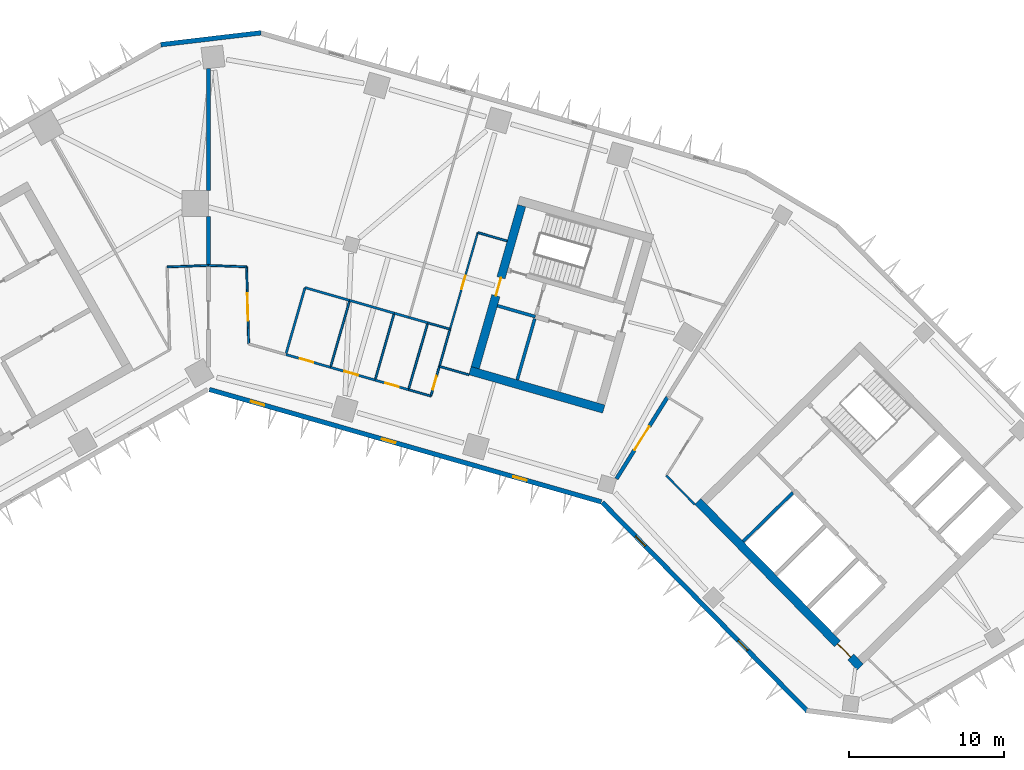
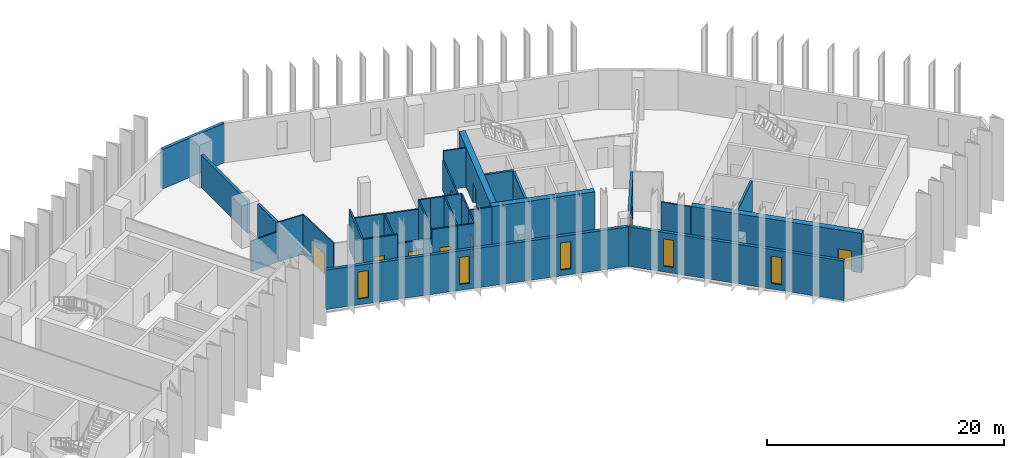
# One storey, part 5 of 11: 34 walls, 9 doors, 5 windows, 14 openings.
"""IFC4 building model written with IfcOpenShell, lengths in metres."""

from ifc_helpers import new_model, si_unit, direction, frame, frame_2d, origin, place, context, subcontext, project, spatial, rectangle, extrude, material, layer, layer_set, type_object, element, fill, save


model = new_model("IFC4")

# Units and contexts
model_context = context("Model", 3, precision=1e-05, world=origin(), true_north=direction((0.0, 1.0)))
body_context = subcontext(model_context, "Body", "Model", "MODEL_VIEW")
ifc_project = project(units=[si_unit("LENGTHUNIT", "METRE"), si_unit("AREAUNIT", "SQUARE_METRE"), si_unit("VOLUMEUNIT", "CUBIC_METRE"), si_unit("PLANEANGLEUNIT", "RADIAN"), si_unit("MASSUNIT", "GRAM", prefix="KILO")], contexts=[model_context])

# Site, building, storey
site_placement = place(None, origin())
site = spatial("IfcSite", under=ifc_project, at=site_placement, CompositionType="ELEMENT")
building_placement = place(site_placement, origin())
building = spatial("IfcBuilding", under=site, at=building_placement, Name="Binnacle Exchange Tower", CompositionType="ELEMENT")
storey_placement = place(building_placement, frame((0.0, 0.0, 97.10009765625)))
storey = spatial("IfcBuildingStorey", under=building, at=storey_placement, Name="L19", CompositionType="ELEMENT", Elevation=97.10009765625)

# Wall, opening, door
ifc_material_1 = material(Name="Concrete C70/85", Category="concrete")
ifc_layer_1 = layer(ifc_material_1, 0.550048828125)
ifc_layer_set_1 = layer_set([ifc_layer_1], Name="Core wall - outer 550")
wall_type_1 = type_object("IfcWallType", Name="Core wall - outer 550", PredefinedType="SOLIDWALL", material=ifc_layer_set_1)
wall_1_placement = place(storey_placement, frame((31.627685546875, 40.7451171875, 0.0), z_axis=(0.0, 0.0, 1.0), x_axis=(0.700911255944, -0.713248491965, 0.0)))
wall_1 = element("IfcWall", 1, at=wall_1_placement, inside=storey, type_object=wall_type_1, Name="Core wall CRWB1", PredefinedType="SOLIDWALL", context=body_context, shape_type="SweptSolid", body=[
    extrude(rectangle(XDim=15.0, YDim=0.550048828125, at=frame_2d((7.5, 0.0))), origin(), (0.0, 0.0, 1.0), 4.079833984375),
])
opening_1_placement = place(wall_1_placement, frame((12.89990234375, 0.0, 0.0)))
opening_1 = element("IfcOpeningElement", 2, at=opening_1_placement, cuts=wall_1, Name="Opening DB7", PredefinedType="OPENING", context=body_context, shape_type="SweptSolid", body=[
    extrude(rectangle(XDim=1.199951171875, YDim=2.10009765625, at=frame_2d((0.60009765625, 1.050048828125))), frame((0.0, 0.284912109375, 0.0), z_axis=(0.0, -1.0, 0.0), x_axis=(1.0, 0.0, 0.0)), (0.0, 0.0, 1.0), 0.570068359375),
])
ifc_material_2 = material(Name="Steel door leaf", Category="steel")
door_type_1 = type_object("IfcDoorType", Name="Fire door 1200", OperationType="NOTDEFINED", PredefinedType="DOOR", material=ifc_material_2)
door_1_placement = place(opening_1_placement, frame((1.199951171875, 0.0, 0.0), z_axis=(0.0, 0.0, 1.0), x_axis=(-1.0, 0.0, 0.0)))
door_1 = element("IfcDoor", 3, at=door_1_placement, inside=storey, type_object=door_type_1, Name="Lift lobby entrance door core B", OperationType="SINGLE_SWING_LEFT", OverallHeight=2.10009765625, OverallWidth=1.199951171875, PredefinedType="DOOR", context=body_context, shape_type="SweptSolid", body=[
    extrude(rectangle(XDim=1.199951171875, YDim=2.10009765625, at=frame_2d((0.60009765625, 1.050048828125))), frame((0.0, 0.02490234375, 0.0), z_axis=(0.0, -1.0, 0.0), x_axis=(1.0, 0.0, 0.0)), (0.0, 0.0, 1.0), 0.050048828125),
])
fill(opening_1, door_1)

# Wall
wall_2_placement = place(storey_placement, frame((16.90380859375, 49.197265625, 0.0), z_axis=(0.0, 0.0, 1.0), x_axis=(0.96126248289, -0.275634611374, 0.0)))
element("IfcWall", 4, at=wall_2_placement, inside=storey, type_object=wall_type_1, Name="Core wall CRWD1", PredefinedType="SOLIDWALL", context=body_context, shape_type="SweptSolid", body=[
    extrude(rectangle(XDim=9.0, YDim=0.550048828125, at=frame_2d((4.5, 0.0))), origin(), (0.0, 0.0, 1.0), 4.079833984375),
])

# Wall, opening, door
wall_3_placement = place(storey_placement, frame((17.243896484375, 49.3857421875, 0.0), z_axis=(0.0, 0.0, 1.0), x_axis=(0.275632146085, 0.96126318979, 0.0)))
wall_3 = element("IfcWall", 5, at=wall_3_placement, inside=storey, type_object=wall_type_1, Name="Core wall CRWD7", PredefinedType="SOLIDWALL", context=body_context, shape_type="SweptSolid", body=[
    extrude(rectangle(XDim=10.89990234375, YDim=0.550048828125, at=frame_2d((5.449951171875, 0.0))), origin(), (0.0, 0.0, 1.0), 4.079833984375),
])
opening_2_placement = place(wall_3_placement, frame((4.85009765625, 0.0, 0.0)))
opening_2 = element("IfcOpeningElement", 6, at=opening_2_placement, cuts=wall_3, Name="Opening DD5", PredefinedType="OPENING", context=body_context, shape_type="SweptSolid", body=[
    extrude(rectangle(XDim=1.199951171875, YDim=2.10009765625, at=frame_2d((0.60009765625, 1.050048828125))), frame((0.0, 0.284912109375, 0.0), z_axis=(0.0, -1.0, 0.0), x_axis=(1.0, 0.0, 0.0)), (0.0, 0.0, 1.0), 0.570068359375),
])
door_2_placement = place(opening_2_placement, origin())
door_2 = element("IfcDoor", 7, at=door_2_placement, inside=storey, type_object=door_type_1, Name="Vestibule exit door VEST-W", OperationType="SINGLE_SWING_RIGHT", OverallHeight=2.10009765625, OverallWidth=1.199951171875, PredefinedType="DOOR", context=body_context, shape_type="SweptSolid", body=[
    extrude(rectangle(XDim=1.199951171875, YDim=2.10009765625, at=frame_2d((0.60009765625, 1.050048828125))), frame((0.0, 0.02490234375, 0.0), z_axis=(0.0, -1.0, 0.0), x_axis=(1.0, 0.0, 0.0)), (0.0, 0.0, 1.0), 0.050048828125),
])
fill(opening_2, door_2)

# Wall
ifc_material_3 = material(Name="Bronze aluminium cladding", Category="aluminium")
ifc_layer_2 = layer(ifc_material_3, 0.300048828125)
ifc_layer_set_2 = layer_set([ifc_layer_2], Name="External wall - spandrel 300")
wall_type_2 = type_object("IfcWallType", Name="External wall - spandrel 300", PredefinedType="STANDARD", material=ifc_layer_set_2)
wall_4_placement = place(storey_placement, frame((-3.076171875, 70.27294921875, 0.0), z_axis=(0.0, 0.0, 1.0), x_axis=(0.993067743007, 0.117543429416, 0.0)))
element("IfcWall", 8, at=wall_4_placement, inside=storey, type_object=wall_type_2, Name="External wall EW-F02 L19", PredefinedType="STANDARD", context=body_context, shape_type="SweptSolid", body=[
    extrude(rectangle(XDim=6.515625, YDim=0.300048828125, at=frame_2d((3.2578125, 0.0))), origin(), (0.0, 0.0, 1.0), 4.079833984375),
])

# Wall, openings, windows
wall_5_placement = place(storey_placement, frame((25.398193359375, 40.71728515625, 0.0), z_axis=(0.0, 0.0, 1.0), x_axis=(-0.961262423262, 0.275634819324, 0.0)))
wall_5 = element("IfcWall", 9, at=wall_5_placement, inside=storey, type_object=wall_type_2, Name="External wall EW-F08 L19", PredefinedType="STANDARD", context=body_context, shape_type="SweptSolid", body=[
    extrude(rectangle(XDim=26.358642578125, YDim=0.300048828125, at=frame_2d((13.17919921875, 0.0))), origin(), (0.0, 0.0, 1.0), 4.079833984375),
])
opening_3_placement = place(wall_5_placement, frame((22.6640625, 0.0, 0.60009765625)))
opening_3 = element("IfcOpeningElement", 10, at=opening_3_placement, cuts=wall_5, Name="Opening WS2", PredefinedType="OPENING", context=body_context, shape_type="SweptSolid", body=[
    extrude(rectangle(XDim=0.89990234375, YDim=2.800048828125, at=frame_2d((0.449951171875, 1.39990234375))), frame((0.0, 0.159912109375, 0.0), z_axis=(0.0, -1.0, 0.0), x_axis=(1.0, 0.0, 0.0)), (0.0, 0.0, 1.0), 0.320068359375),
])
opening_4_placement = place(wall_5_placement, frame((13.843505859375, 0.0, 0.60009765625)))
opening_4 = element("IfcOpeningElement", 11, at=opening_4_placement, cuts=wall_5, Name="Opening WS2", PredefinedType="OPENING", context=body_context, shape_type="SweptSolid", body=[
    extrude(rectangle(XDim=0.89990234375, YDim=2.800048828125, at=frame_2d((0.449951171875, 1.39990234375))), frame((0.0, 0.159912109375, 0.0), z_axis=(0.0, -1.0, 0.0), x_axis=(1.0, 0.0, 0.0)), (0.0, 0.0, 1.0), 0.320068359375),
])
opening_5_placement = place(wall_5_placement, frame((5.023193359375, 0.0, 0.60009765625)))
opening_5 = element("IfcOpeningElement", 12, at=opening_5_placement, cuts=wall_5, Name="Opening WS2", PredefinedType="OPENING", context=body_context, shape_type="SweptSolid", body=[
    extrude(rectangle(XDim=0.89990234375, YDim=2.800048828125, at=frame_2d((0.449951171875, 1.39990234375))), frame((0.0, 0.159912109375, 0.0), z_axis=(0.0, -1.0, 0.0), x_axis=(1.0, 0.0, 0.0)), (0.0, 0.0, 1.0), 0.320068359375),
])
ifc_material_4 = material(Name="Bronze anodised aluminium frame", Category="aluminium")
window_type = type_object("IfcWindowType", Name="WS2 WINDOW 900x2800", PartitioningType="SINGLE_PANEL", PredefinedType="WINDOW", material=ifc_material_4)
window_1_placement = place(opening_3_placement, origin())
window_1 = element("IfcWindow", 13, at=window_1_placement, inside=storey, type_object=window_type, Name="Window WS2 L19", OverallHeight=2.800048828125, OverallWidth=0.89990234375, PartitioningType="SINGLE_PANEL", PredefinedType="WINDOW", context=body_context, shape_type="SweptSolid", body=[
    extrude(rectangle(XDim=0.89990234375, YDim=2.800048828125, at=frame_2d((0.449951171875, 1.39990234375))), frame((0.0, 0.030029296875, 0.0), z_axis=(0.0, -1.0, 0.0), x_axis=(1.0, 0.0, 0.0)), (0.0, 0.0, 1.0), 0.06005859375),
])
fill(opening_3, window_1)
window_2_placement = place(opening_4_placement, origin())
window_2 = element("IfcWindow", 14, at=window_2_placement, inside=storey, type_object=window_type, Name="Window WS2 L19", OverallHeight=2.800048828125, OverallWidth=0.89990234375, PartitioningType="SINGLE_PANEL", PredefinedType="WINDOW", context=body_context, shape_type="SweptSolid", body=[
    extrude(rectangle(XDim=0.89990234375, YDim=2.800048828125, at=frame_2d((0.449951171875, 1.39990234375))), frame((0.0, 0.030029296875, 0.0), z_axis=(0.0, -1.0, 0.0), x_axis=(1.0, 0.0, 0.0)), (0.0, 0.0, 1.0), 0.06005859375),
])
fill(opening_4, window_2)
window_3_placement = place(opening_5_placement, origin())
window_3 = element("IfcWindow", 15, at=window_3_placement, inside=storey, type_object=window_type, Name="Window WS2 L19", OverallHeight=2.800048828125, OverallWidth=0.89990234375, PartitioningType="SINGLE_PANEL", PredefinedType="WINDOW", context=body_context, shape_type="SweptSolid", body=[
    extrude(rectangle(XDim=0.89990234375, YDim=2.800048828125, at=frame_2d((0.449951171875, 1.39990234375))), frame((0.0, 0.030029296875, 0.0), z_axis=(0.0, -1.0, 0.0), x_axis=(1.0, 0.0, 0.0)), (0.0, 0.0, 1.0), 0.06005859375),
])
fill(opening_5, window_3)

wall_6_placement = place(storey_placement, frame((38.727294921875, 27.18115234375, 0.0), z_axis=(0.0, 0.0, 1.0), x_axis=(-0.700906405975, 0.713253258011, 0.0)))
wall_6 = element("IfcWall", 16, at=wall_6_placement, inside=storey, type_object=wall_type_2, Name="External wall EW-F09 L19", PredefinedType="STANDARD", context=body_context, shape_type="SweptSolid", body=[
    extrude(rectangle(XDim=18.92333984375, YDim=0.300048828125, at=frame_2d((9.461669921875, 0.0))), origin(), (0.0, 0.0, 1.0), 4.079833984375),
])
opening_6_placement = place(wall_6_placement, frame((14.967041015625, 0.0, 0.60009765625)))
opening_6 = element("IfcOpeningElement", 17, at=opening_6_placement, cuts=wall_6, Name="Opening WS2", PredefinedType="OPENING", context=body_context, shape_type="SweptSolid", body=[
    extrude(rectangle(XDim=0.89990234375, YDim=2.800048828125, at=frame_2d((0.449951171875, 1.39990234375))), frame((0.0, 0.159912109375, 0.0), z_axis=(0.0, -1.0, 0.0), x_axis=(1.0, 0.0, 0.0)), (0.0, 0.0, 1.0), 0.320068359375),
])
opening_7_placement = place(wall_6_placement, frame((5.51171875, 0.0, 0.60009765625)))
opening_7 = element("IfcOpeningElement", 18, at=opening_7_placement, cuts=wall_6, Name="Opening WS2", PredefinedType="OPENING", context=body_context, shape_type="SweptSolid", body=[
    extrude(rectangle(XDim=0.89990234375, YDim=2.800048828125, at=frame_2d((0.449951171875, 1.39990234375))), frame((0.0, 0.159912109375, 0.0), z_axis=(0.0, -1.0, 0.0), x_axis=(1.0, 0.0, 0.0)), (0.0, 0.0, 1.0), 0.320068359375),
])
window_4_placement = place(opening_6_placement, origin())
window_4 = element("IfcWindow", 19, at=window_4_placement, inside=storey, type_object=window_type, Name="Window WS2 L19", OverallHeight=2.800048828125, OverallWidth=0.89990234375, PartitioningType="SINGLE_PANEL", PredefinedType="WINDOW", context=body_context, shape_type="SweptSolid", body=[
    extrude(rectangle(XDim=0.89990234375, YDim=2.800048828125, at=frame_2d((0.449951171875, 1.39990234375))), frame((0.0, 0.030029296875, 0.0), z_axis=(0.0, -1.0, 0.0), x_axis=(1.0, 0.0, 0.0)), (0.0, 0.0, 1.0), 0.06005859375),
])
fill(opening_6, window_4)
window_5_placement = place(opening_7_placement, origin())
window_5 = element("IfcWindow", 20, at=window_5_placement, inside=storey, type_object=window_type, Name="Window WS2 L19", OverallHeight=2.800048828125, OverallWidth=0.89990234375, PartitioningType="SINGLE_PANEL", PredefinedType="WINDOW", context=body_context, shape_type="SweptSolid", body=[
    extrude(rectangle(XDim=0.89990234375, YDim=2.800048828125, at=frame_2d((0.449951171875, 1.39990234375))), frame((0.0, 0.030029296875, 0.0), z_axis=(0.0, -1.0, 0.0), x_axis=(1.0, 0.0, 0.0)), (0.0, 0.0, 1.0), 0.06005859375),
])
fill(opening_7, window_5)

# Walls
ifc_material_5 = material(Name="Concrete fire wall C30/37", Category="concrete")
ifc_layer_3 = layer(ifc_material_5, 0.25)
ifc_layer_set_3 = layer_set([ifc_layer_3], Name="Fire wall - compartment 250")
wall_type_3 = type_object("IfcWallType", Name="Fire wall - compartment 250", PredefinedType="PARTITIONING", material=ifc_layer_set_3)
wall_7_placement = place(storey_placement, frame((0.0, 56.0, 0.0), z_axis=(0.0, 0.0, 1.0), x_axis=(0.0, 1.0, 0.0)))
element("IfcWall", 21, at=wall_7_placement, inside=storey, type_object=wall_type_3, Name="Fire Wall W11", PredefinedType="PARTITIONING", context=body_context, shape_type="SweptSolid", body=[
    extrude(rectangle(XDim=3.14990234375, YDim=0.25, at=frame_2d((1.574951171875, 0.0))), origin(), (0.0, 0.0, 1.0), 4.079833984375),
])
wall_8_placement = place(storey_placement, frame((0.0, 60.85009765625, 0.0), z_axis=(0.0, 0.0, 1.0), x_axis=(0.0, 1.0, 0.0)))
element("IfcWall", 22, at=wall_8_placement, inside=storey, type_object=wall_type_3, Name="Fire Wall W13", PredefinedType="PARTITIONING", context=body_context, shape_type="SweptSolid", body=[
    extrude(rectangle(XDim=7.8740234375, YDim=0.25, at=frame_2d((3.93701171875, 0.0))), origin(), (0.0, 0.0, 1.0), 3.351806640625),
])

# Wall, opening, door
wall_9_placement = place(storey_placement, frame((26.373046875, 42.2060546875, 0.0), z_axis=(0.0, 0.0, 1.0), x_axis=(0.52987567935, 0.848075329457, 0.0)))
wall_9 = element("IfcWall", 23, at=wall_9_placement, inside=storey, type_object=wall_type_3, Name="Fire Wall W36", PredefinedType="PARTITIONING", context=body_context, shape_type="SweptSolid", body=[
    extrude(rectangle(XDim=6.231689453125, YDim=0.25, at=frame_2d((3.11572265625, 0.0))), origin(), (0.0, 0.0, 1.0), 4.079833984375),
])
opening_8_placement = place(wall_9_placement, frame((2.199951171875, 0.0, 0.0)))
opening_8 = element("IfcOpeningElement", 24, at=opening_8_placement, cuts=wall_9, Name="Opening DL19-14", PredefinedType="OPENING", context=body_context, shape_type="SweptSolid", body=[
    extrude(rectangle(XDim=1.800048828125, YDim=2.10009765625, at=frame_2d((0.89990234375, 1.050048828125))), frame((0.0, 0.135009765625, 0.0), z_axis=(0.0, -1.0, 0.0), x_axis=(1.0, 0.0, 0.0)), (0.0, 0.0, 1.0), 0.27001953125),
])
door_type_2 = type_object("IfcDoorType", Name="Fire door 1800", OperationType="NOTDEFINED", PredefinedType="DOOR", material=ifc_material_2)
door_3_placement = place(opening_8_placement, origin())
door_3 = element("IfcDoor", 25, at=door_3_placement, inside=storey, type_object=door_type_2, Name="Door DL19-14", OperationType="DOUBLE_DOOR_SINGLE_SWING", OverallHeight=2.10009765625, OverallWidth=1.800048828125, PredefinedType="DOOR", context=body_context, shape_type="SweptSolid", body=[
    extrude(rectangle(XDim=1.800048828125, YDim=2.10009765625, at=frame_2d((0.89990234375, 1.050048828125))), frame((0.0, 0.02490234375, 0.0), z_axis=(0.0, -1.0, 0.0), x_axis=(1.0, 0.0, 0.0)), (0.0, 0.0, 1.0), 0.050048828125),
])
fill(opening_8, door_3)

# Wall
ifc_material_6 = material(Name="Gypsum partition fire rated")
ifc_layer_4 = layer(ifc_material_6, 0.14990234375)
ifc_layer_set_4 = layer_set([ifc_layer_4], Name="Fire-rated partition 150")
wall_type_4 = type_object("IfcWallType", Name="Fire-rated partition 150", PredefinedType="PARTITIONING", material=ifc_layer_set_4)
wall_10_placement = place(storey_placement, frame((5.00390625, 50.242919921875, 0.0), z_axis=(0.0, 0.0, 1.0), x_axis=(0.275838825927, 0.961203902464, 0.0)))
element("IfcWall", 26, at=wall_10_placement, inside=storey, type_object=wall_type_4, Name="Partition W16", PredefinedType="PARTITIONING", context=body_context, shape_type="SweptSolid", body=[
    extrude(rectangle(XDim=4.499755859375, YDim=0.14990234375, at=frame_2d((2.25, 0.0))), origin(), (0.0, 0.0, 1.0), 4.079833984375),
])

# Wall, opening, door
wall_11_placement = place(storey_placement, frame((5.00390625, 50.242919921875, 0.0), z_axis=(0.0, 0.0, 1.0), x_axis=(0.961268664977, -0.27561305073, 0.0)))
wall_11 = element("IfcWall", 27, at=wall_11_placement, inside=storey, type_object=wall_type_4, Name="Partition W17", PredefinedType="PARTITIONING", context=body_context, shape_type="SweptSolid", body=[
    extrude(rectangle(XDim=3.000244140625, YDim=0.14990234375, at=frame_2d((1.5, 0.0))), origin(), (0.0, 0.0, 1.0), 4.079833984375),
])
opening_9_placement = place(wall_11_placement, frame((0.949951171875, 0.0, 0.0)))
opening_9 = element("IfcOpeningElement", 28, at=opening_9_placement, cuts=wall_11, Name="Opening DL19-04", PredefinedType="OPENING", context=body_context, shape_type="SweptSolid", body=[
    extrude(rectangle(XDim=0.89990234375, YDim=2.10009765625, at=frame_2d((0.449951171875, 1.050048828125))), frame((0.0, 0.0849609375, 0.0), z_axis=(0.0, -1.0, 0.0), x_axis=(1.0, 0.0, 0.0)), (0.0, 0.0, 1.0), 0.169921875),
])
door_type_3 = type_object("IfcDoorType", Name="Fire door 900", OperationType="NOTDEFINED", PredefinedType="DOOR", material=ifc_material_2)
door_4_placement = place(opening_9_placement, origin())
door_4 = element("IfcDoor", 29, at=door_4_placement, inside=storey, type_object=door_type_3, Name="Door DL19-04", OperationType="SINGLE_SWING_LEFT", OverallHeight=2.10009765625, OverallWidth=0.89990234375, PredefinedType="DOOR", context=body_context, shape_type="SweptSolid", body=[
    extrude(rectangle(XDim=0.89990234375, YDim=2.10009765625, at=frame_2d((0.449951171875, 1.050048828125))), frame((0.0, 0.02490234375, 0.0), z_axis=(0.0, -1.0, 0.0), x_axis=(1.0, 0.0, 0.0)), (0.0, 0.0, 1.0), 0.050048828125),
])
fill(opening_9, door_4)

# Wall
wall_12_placement = place(storey_placement, frame((6.2451171875, 54.568115234375, 0.0), z_axis=(0.0, 0.0, 1.0), x_axis=(0.961240918172, -0.275709806194, 0.0)))
element("IfcWall", 30, at=wall_12_placement, inside=storey, type_object=wall_type_4, Name="Partition W18", PredefinedType="PARTITIONING", context=body_context, shape_type="SweptSolid", body=[
    extrude(rectangle(XDim=3.0, YDim=0.14990234375, at=frame_2d((1.5, 0.0))), origin(), (0.0, 0.0, 1.0), 3.159912109375),
])

# Wall, opening, door
wall_13_placement = place(storey_placement, frame((7.887939453125, 49.416015625, 0.0), z_axis=(0.0, 0.0, 1.0), x_axis=(0.961268664977, -0.27561305073, 0.0)))
wall_13 = element("IfcWall", 31, at=wall_13_placement, inside=storey, type_object=wall_type_4, Name="Partition W20", PredefinedType="PARTITIONING", context=body_context, shape_type="SweptSolid", body=[
    extrude(rectangle(XDim=3.000244140625, YDim=0.14990234375, at=frame_2d((1.5, 0.0))), origin(), (0.0, 0.0, 1.0), 3.141845703125),
])
opening_10_placement = place(wall_13_placement, frame((0.949951171875, 0.0, 0.0)))
opening_10 = element("IfcOpeningElement", 32, at=opening_10_placement, cuts=wall_13, Name="Opening DL19-05", PredefinedType="OPENING", context=body_context, shape_type="SweptSolid", body=[
    extrude(rectangle(XDim=0.89990234375, YDim=2.10009765625, at=frame_2d((0.449951171875, 1.050048828125))), frame((0.0, 0.0849609375, 0.0), z_axis=(0.0, -1.0, 0.0), x_axis=(1.0, 0.0, 0.0)), (0.0, 0.0, 1.0), 0.169921875),
])
door_5_placement = place(opening_10_placement, origin())
door_5 = element("IfcDoor", 33, at=door_5_placement, inside=storey, type_object=door_type_3, Name="Door DL19-05", OperationType="SINGLE_SWING_LEFT", OverallHeight=2.10009765625, OverallWidth=0.89990234375, PredefinedType="DOOR", context=body_context, shape_type="SweptSolid", body=[
    extrude(rectangle(XDim=0.89990234375, YDim=2.10009765625, at=frame_2d((0.449951171875, 1.050048828125))), frame((0.0, 0.02490234375, 0.0), z_axis=(0.0, -1.0, 0.0), x_axis=(1.0, 0.0, 0.0)), (0.0, 0.0, 1.0), 0.050048828125),
])
fill(opening_10, door_5)

# Wall
wall_14_placement = place(storey_placement, frame((9.12890625, 53.740966796875, 0.0), z_axis=(0.0, 0.0, 1.0), x_axis=(0.961243927922, -0.275699312717, 0.0)))
element("IfcWall", 34, at=wall_14_placement, inside=storey, type_object=wall_type_4, Name="Partition W21", PredefinedType="PARTITIONING", context=body_context, shape_type="SweptSolid", body=[
    extrude(rectangle(XDim=2.999267578125, YDim=0.14990234375, at=frame_2d((1.49951171875, 0.0))), origin(), (0.0, 0.0, 1.0), 3.141845703125),
])

# Wall, opening, door
wall_15_placement = place(storey_placement, frame((10.77197265625, 48.589111328125, 0.0), z_axis=(0.0, 0.0, 1.0), x_axis=(0.96127791106, -0.275580800688, 0.0)))
wall_15 = element("IfcWall", 35, at=wall_15_placement, inside=storey, type_object=wall_type_4, Name="Partition W23", PredefinedType="PARTITIONING", context=body_context, shape_type="SweptSolid", body=[
    extrude(rectangle(XDim=2.250244140625, YDim=0.14990234375, at=frame_2d((1.125, 0.0))), origin(), (0.0, 0.0, 1.0), 4.079833984375),
])
opening_11_placement = place(wall_15_placement, frame((0.699951171875, 0.0, 0.0)))
opening_11 = element("IfcOpeningElement", 36, at=opening_11_placement, cuts=wall_15, Name="Opening DL19-06", PredefinedType="OPENING", context=body_context, shape_type="SweptSolid", body=[
    extrude(rectangle(XDim=0.89990234375, YDim=2.10009765625, at=frame_2d((0.449951171875, 1.050048828125))), frame((0.0, 0.0849609375, 0.0), z_axis=(0.0, -1.0, 0.0), x_axis=(1.0, 0.0, 0.0)), (0.0, 0.0, 1.0), 0.169921875),
])
door_6_placement = place(opening_11_placement, origin())
door_6 = element("IfcDoor", 37, at=door_6_placement, inside=storey, type_object=door_type_3, Name="Door DL19-06", OperationType="SINGLE_SWING_RIGHT", OverallHeight=2.10009765625, OverallWidth=0.89990234375, PredefinedType="DOOR", context=body_context, shape_type="SweptSolid", body=[
    extrude(rectangle(XDim=0.89990234375, YDim=2.10009765625, at=frame_2d((0.449951171875, 1.050048828125))), frame((0.0, 0.02490234375, 0.0), z_axis=(0.0, -1.0, 0.0), x_axis=(1.0, 0.0, 0.0)), (0.0, 0.0, 1.0), 0.050048828125),
])
fill(opening_11, door_6)

# Walls
wall_16_placement = place(storey_placement, frame((12.011962890625, 52.9140625, 0.0), z_axis=(0.0, 0.0, 1.0), x_axis=(0.961459478043, -0.274946671341, 0.0)))
element("IfcWall", 38, at=wall_16_placement, inside=storey, type_object=wall_type_4, Name="Partition W24", PredefinedType="PARTITIONING", context=body_context, shape_type="SweptSolid", body=[
    extrude(rectangle(XDim=1.000732421875, YDim=0.14990234375, at=frame_2d((0.50048828125, 0.0))), origin(), (0.0, 0.0, 1.0), 4.079833984375),
])
wall_17_placement = place(storey_placement, frame((12.97412109375, 52.638916015625, 0.0), z_axis=(0.0, 0.0, 1.0), x_axis=(0.961132191281, -0.276088592454, 0.0)))
element("IfcWall", 39, at=wall_17_placement, inside=storey, type_object=wall_type_4, Name="Partition W27", PredefinedType="PARTITIONING", context=body_context, shape_type="SweptSolid", body=[
    extrude(rectangle(XDim=1.24951171875, YDim=0.14990234375, at=frame_2d((0.624755859375, 0.0))), origin(), (0.0, 0.0, 1.0), 4.079833984375),
])
ifc_material_7 = material(Name="Gypsum partition")
ifc_layer_5 = layer(ifc_material_7, 0.125)
ifc_layer_set_5 = layer_set([ifc_layer_5], Name="Partition 125")
wall_type_5 = type_object("IfcWallType", Name="Partition 125", PredefinedType="PARTITIONING", material=ifc_layer_set_5)
wall_18_placement = place(storey_placement, frame((-2.669921875, 55.904052734375, 0.0), z_axis=(0.0, 0.0, 1.0), x_axis=(0.999354913865, 0.03591317494, 0.0)))
element("IfcWall", 40, at=wall_18_placement, inside=storey, type_object=wall_type_5, Name="Partition W09", PredefinedType="PARTITIONING", context=body_context, shape_type="SweptSolid", body=[
    extrude(rectangle(XDim=2.671630859375, YDim=0.125, at=frame_2d((1.3359375, 0.0))), origin(), (0.0, 0.0, 1.0), 3.141845703125),
])
wall_19_placement = place(storey_placement, frame((0.0, 56.0, 0.0), z_axis=(0.0, 0.0, 1.0), x_axis=(0.999349313684, -0.036068673934, 0.0)))
element("IfcWall", 41, at=wall_19_placement, inside=storey, type_object=wall_type_5, Name="Partition W12", PredefinedType="PARTITIONING", context=body_context, shape_type="SweptSolid", body=[
    extrude(rectangle(XDim=2.470703125, YDim=0.125, at=frame_2d((1.2353515625, 0.0))), origin(), (0.0, 0.0, 1.0), 4.079833984375),
])

# Wall, opening, door
wall_20_placement = place(storey_placement, frame((2.468994140625, 55.910888671875, 0.0), z_axis=(0.0, 0.0, 1.0), x_axis=(0.02651808123, -0.999648333849, 0.0)))
wall_20 = element("IfcWall", 42, at=wall_20_placement, inside=storey, type_object=wall_type_5, Name="Partition W14", PredefinedType="PARTITIONING", context=body_context, shape_type="SweptSolid", body=[
    extrude(rectangle(XDim=4.980712890625, YDim=0.125, at=frame_2d((2.490234375, 0.0))), origin(), (0.0, 0.0, 1.0), 4.079833984375),
])
opening_12_placement = place(wall_20_placement, frame((1.699951171875, 0.0, 0.0)))
opening_12 = element("IfcOpeningElement", 43, at=opening_12_placement, cuts=wall_20, Name="Opening DL19-08", PredefinedType="OPENING", context=body_context, shape_type="SweptSolid", body=[
    extrude(rectangle(XDim=1.800048828125, YDim=2.10009765625, at=frame_2d((0.89990234375, 1.050048828125))), frame((0.0, 0.072509765625, 0.0), z_axis=(0.0, -1.0, 0.0), x_axis=(1.0, 0.0, 0.0)), (0.0, 0.0, 1.0), 0.14501953125),
])
ifc_material_8 = material(Name="Timber door leaf", Category="wood")
door_type_4 = type_object("IfcDoorType", Name="Double door 1800", OperationType="NOTDEFINED", PredefinedType="DOOR", material=ifc_material_8)
door_7_placement = place(opening_12_placement, origin())
door_7 = element("IfcDoor", 44, at=door_7_placement, inside=storey, type_object=door_type_4, Name="Door DL19-08", OperationType="DOUBLE_DOOR_SINGLE_SWING", OverallHeight=2.10009765625, OverallWidth=1.800048828125, PredefinedType="DOOR", context=body_context, shape_type="SweptSolid", body=[
    extrude(rectangle(XDim=1.800048828125, YDim=2.10009765625, at=frame_2d((0.89990234375, 1.050048828125))), frame((0.0, 0.02490234375, 0.0), z_axis=(0.0, -1.0, 0.0), x_axis=(1.0, 0.0, 0.0)), (0.0, 0.0, 1.0), 0.050048828125),
])
fill(opening_12, door_7)

# Walls
wall_21_placement = place(storey_placement, frame((7.887939453125, 49.416015625, 0.0), z_axis=(0.0, 0.0, 1.0), x_axis=(0.275803080638, 0.96121415965, 0.0)))
element("IfcWall", 45, at=wall_21_placement, inside=storey, type_object=wall_type_5, Name="Partition W19", PredefinedType="PARTITIONING", context=body_context, shape_type="SweptSolid", body=[
    extrude(rectangle(XDim=4.49951171875, YDim=0.125, at=frame_2d((2.249755859375, 0.0))), origin(), (0.0, 0.0, 1.0), 3.159912109375),
])
for number, where, z_axis, x_axis, name in (
    (46, (10.77197265625, 48.589111328125, 0.0), (0.0, 0.0, 1.0), (0.275602532653, 0.961271680637, 0.0), "Partition W22"),
    (47, (12.93505859375, 47.968994140625, 0.0), (0.0, 0.0, 1.0), (0.275602532653, 0.961271680637, 0.0), "Partition W25"),
):
    element("IfcWall", number, at=place(storey_placement, frame(where, z_axis=z_axis, x_axis=x_axis)), inside=storey, type_object=wall_type_5, Name=name, PredefinedType="PARTITIONING", context=body_context, shape_type="SweptSolid", body=[
        extrude(rectangle(XDim=4.499267578125, YDim=0.125, at=frame_2d((2.24951171875, 0.0))), origin(), (0.0, 0.0, 1.0), 4.079833984375),
    ])
wall_22_placement = place(storey_placement, frame((12.93505859375, 47.968994140625, 0.0), z_axis=(0.0, 0.0, 1.0), x_axis=(0.961154610169, -0.276010534854, 0.0)))
element("IfcWall", 48, at=wall_22_placement, inside=storey, type_object=wall_type_5, Name="Partition W26", PredefinedType="PARTITIONING", context=body_context, shape_type="SweptSolid", body=[
    extrude(rectangle(XDim=1.500244140625, YDim=0.125, at=frame_2d((0.75, 0.0))), origin(), (0.0, 0.0, 1.0), 4.079833984375),
])
wall_23_placement = place(storey_placement, frame((14.175048828125, 52.2939453125, 0.0), z_axis=(0.0, 0.0, 1.0), x_axis=(0.961370232732, -0.275258561387, 0.0)))
element("IfcWall", 49, at=wall_23_placement, inside=storey, type_object=wall_type_5, Name="Partition W29", PredefinedType="PARTITIONING", context=body_context, shape_type="SweptSolid", body=[
    extrude(rectangle(XDim=1.499755859375, YDim=0.125, at=frame_2d((0.75, 0.0))), origin(), (0.0, 0.0, 1.0), 4.079833984375),
])

# Wall, opening, door
wall_24_placement = place(storey_placement, frame((14.376953125, 47.554931640625, 0.0), z_axis=(0.0, 0.0, 1.0), x_axis=(0.275446387355, 0.961316434736, 0.0)))
wall_24 = element("IfcWall", 50, at=wall_24_placement, inside=storey, type_object=wall_type_5, Name="Partition W30", PredefinedType="PARTITIONING", context=body_context, shape_type="SweptSolid", body=[
    extrude(rectangle(XDim=2.00048828125, YDim=0.125, at=frame_2d((1.000244140625, 0.0))), origin(), (0.0, 0.0, 1.0), 4.079833984375),
])
opening_13_placement = place(wall_24_placement, frame((0.449951171875, 0.0, 0.0)))
opening_13 = element("IfcOpeningElement", 51, at=opening_13_placement, cuts=wall_24, Name="Opening DL19-07", PredefinedType="OPENING", context=body_context, shape_type="SweptSolid", body=[
    extrude(rectangle(XDim=0.89990234375, YDim=2.10009765625, at=frame_2d((0.449951171875, 1.050048828125))), frame((0.0, 0.072509765625, 0.0), z_axis=(0.0, -1.0, 0.0), x_axis=(1.0, 0.0, 0.0)), (0.0, 0.0, 1.0), 0.14501953125),
])
door_type_5 = type_object("IfcDoorType", Name="Door 900", OperationType="NOTDEFINED", PredefinedType="DOOR", material=ifc_material_8)
door_8_placement = place(opening_13_placement, origin())
door_8 = element("IfcDoor", 52, at=door_8_placement, inside=storey, type_object=door_type_5, Name="Door DL19-07", OperationType="SINGLE_SWING_LEFT", OverallHeight=2.10009765625, OverallWidth=0.89990234375, PredefinedType="DOOR", context=body_context, shape_type="SweptSolid", body=[
    extrude(rectangle(XDim=0.89990234375, YDim=2.10009765625, at=frame_2d((0.449951171875, 1.050048828125))), frame((0.0, 0.02490234375, 0.0), z_axis=(0.0, -1.0, 0.0), x_axis=(1.0, 0.0, 0.0)), (0.0, 0.0, 1.0), 0.050048828125),
])
fill(opening_13, door_8)

# Walls
wall_25_placement = place(storey_placement, frame((14.927978515625, 49.47802734375, 0.0), z_axis=(0.0, 0.0, 1.0), x_axis=(0.275598116036, 0.961272946898, 0.0)))
element("IfcWall", 53, at=wall_25_placement, inside=storey, type_object=wall_type_5, Name="Partition W31", PredefinedType="PARTITIONING", context=body_context, shape_type="SweptSolid", body=[
    extrude(rectangle(XDim=2.5, YDim=0.125, at=frame_2d((1.25, 0.0))), origin(), (0.0, 0.0, 1.0), 4.079833984375),
])
wall_26_placement = place(storey_placement, frame((14.927978515625, 49.47802734375, 0.0), z_axis=(0.0, 0.0, 1.0), x_axis=(0.961243778232, -0.27569983462, 0.0)))
element("IfcWall", 54, at=wall_26_placement, inside=storey, type_object=wall_type_5, Name="Partition W32", PredefinedType="PARTITIONING", context=body_context, shape_type="SweptSolid", body=[
    extrude(rectangle(XDim=1.9765625, YDim=0.125, at=frame_2d((0.98828125, 0.0))), origin(), (0.0, 0.0, 1.0), 4.079833984375),
])

# Wall, opening, door
wall_27_placement = place(storey_placement, frame((15.616943359375, 51.881103515625, 0.0), z_axis=(0.0, 0.0, 1.0), x_axis=(0.275703259795, 0.961242795832, 0.0)))
wall_27 = element("IfcWall", 55, at=wall_27_placement, inside=storey, type_object=wall_type_5, Name="Partition W33", PredefinedType="PARTITIONING", context=body_context, shape_type="SweptSolid", body=[
    extrude(rectangle(XDim=6.499755859375, YDim=0.125, at=frame_2d((3.25, 0.0))), origin(), (0.0, 0.0, 1.0), 3.141845703125),
])
opening_14_placement = place(wall_27_placement, frame((2.699951171875, 0.0, 0.0)))
opening_14 = element("IfcOpeningElement", 56, at=opening_14_placement, cuts=wall_27, Name="Opening DL19-09", PredefinedType="OPENING", context=body_context, shape_type="SweptSolid", body=[
    extrude(rectangle(XDim=0.89990234375, YDim=2.10009765625, at=frame_2d((0.449951171875, 1.050048828125))), frame((0.0, 0.072509765625, 0.0), z_axis=(0.0, -1.0, 0.0), x_axis=(1.0, 0.0, 0.0)), (0.0, 0.0, 1.0), 0.14501953125),
])
door_9_placement = place(opening_14_placement, origin())
door_9 = element("IfcDoor", 57, at=door_9_placement, inside=storey, type_object=door_type_5, Name="Door DL19-09", OperationType="SINGLE_SWING_LEFT", OverallHeight=2.10009765625, OverallWidth=0.89990234375, PredefinedType="DOOR", context=body_context, shape_type="SweptSolid", body=[
    extrude(rectangle(XDim=0.89990234375, YDim=2.10009765625, at=frame_2d((0.449951171875, 1.050048828125))), frame((0.0, 0.02490234375, 0.0), z_axis=(0.0, -1.0, 0.0), x_axis=(1.0, 0.0, 0.0)), (0.0, 0.0, 1.0), 0.050048828125),
])
fill(opening_14, door_9)

# Walls
wall_28_placement = place(storey_placement, frame((17.408935546875, 58.12890625, 0.0), z_axis=(0.0, 0.0, 1.0), x_axis=(0.961253165474, -0.275667103345, 0.0)))
element("IfcWall", 58, at=wall_28_placement, inside=storey, type_object=wall_type_5, Name="Partition W34", PredefinedType="PARTITIONING", context=body_context, shape_type="SweptSolid", body=[
    extrude(rectangle(XDim=1.976806640625, YDim=0.125, at=frame_2d((0.98828125, 0.0))), origin(), (0.0, 0.0, 1.0), 4.079833984375),
])
wall_29_placement = place(storey_placement, frame((29.60009765625, 42.416015625, 0.0), z_axis=(0.0, 0.0, 1.0), x_axis=(0.700914320664, -0.713245480244, 0.0)))
element("IfcWall", 59, at=wall_29_placement, inside=storey, type_object=wall_type_5, Name="Partition W38", PredefinedType="PARTITIONING", context=body_context, shape_type="SweptSolid", body=[
    extrude(rectangle(XDim=2.613525390625, YDim=0.125, at=frame_2d((1.306640625, 0.0))), origin(), (0.0, 0.0, 1.0), 4.079833984375),
])
ifc_material_9 = material(Name="Masonry block wall", Category="masonry")
ifc_layer_6 = layer(ifc_material_9, 0.199951171875)
ifc_layer_set_6 = layer_set([ifc_layer_6], Name="Riser wall 200")
wall_type_6 = type_object("IfcWallType", Name="Riser wall 200", PredefinedType="SOLIDWALL", material=ifc_layer_set_6)
wall_30_placement = place(storey_placement, frame((34.5576171875, 38.15625, 0.0), z_axis=(0.0, 0.0, 1.0), x_axis=(0.713237924006, 0.700922009755, 0.0)))
element("IfcWall", 60, at=wall_30_placement, inside=storey, type_object=wall_type_6, Name="Core wall CRWB9", PredefinedType="SOLIDWALL", context=body_context, shape_type="SweptSolid", body=[
    extrude(rectangle(XDim=4.499755859375, YDim=0.199951171875, at=frame_2d((2.25, 0.0))), origin(), (0.0, 0.0, 1.0), 4.079833984375),
])
wall_31_placement = place(storey_placement, frame((18.6796875, 53.3955078125, 0.0), z_axis=(0.0, 0.0, 1.0), x_axis=(0.961234387647, -0.275732573349, 0.0)))
element("IfcWall", 61, at=wall_31_placement, inside=storey, type_object=wall_type_6, Name="Core wall CRWD2", PredefinedType="SOLIDWALL", context=body_context, shape_type="SweptSolid", body=[
    extrude(rectangle(XDim=2.550048828125, YDim=0.199951171875, at=frame_2d((1.27490234375, 0.0))), origin(), (0.0, 0.0, 1.0), 4.079833984375),
])
wall_32_placement = place(storey_placement, frame((19.95947265625, 48.607177734375, 0.0), z_axis=(0.0, 0.0, 1.0), x_axis=(0.275641165445, 0.961260603537, 0.0)))
element("IfcWall", 62, at=wall_32_placement, inside=storey, type_object=wall_type_6, Name="Core wall CRWD8", PredefinedType="SOLIDWALL", context=body_context, shape_type="SweptSolid", body=[
    extrude(rectangle(XDim=4.10009765625, YDim=0.199951171875, at=frame_2d((2.050048828125, 0.0))), origin(), (0.0, 0.0, 1.0), 4.079833984375),
])

save(model, "model.ifc")
